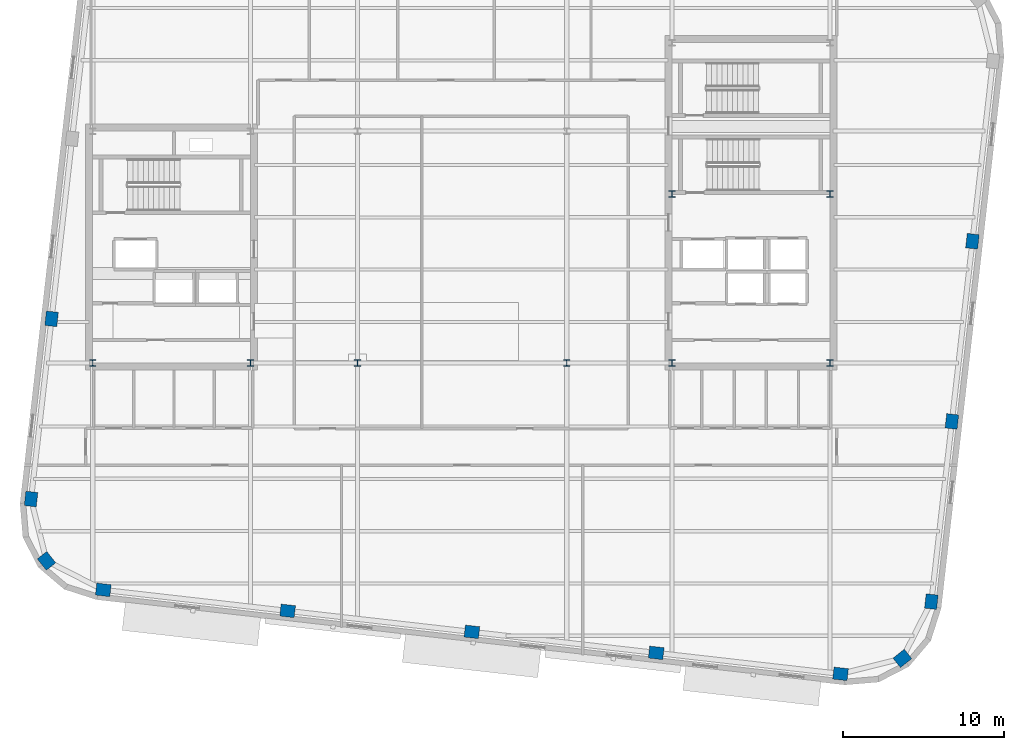
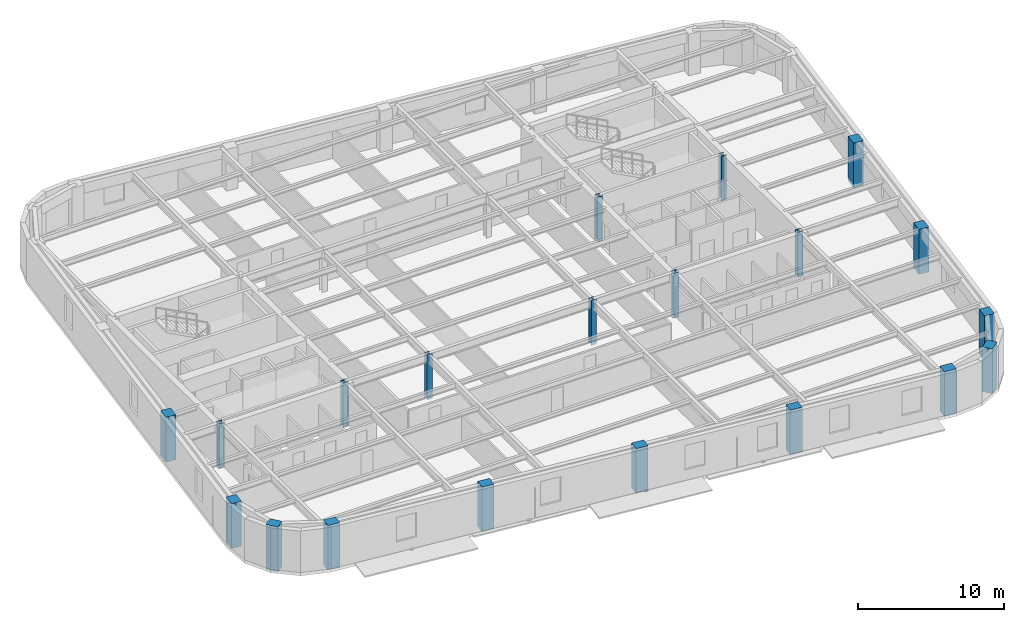
# One storey, part 1 of 13: 20 columns.
"""IFC4 building model written with IfcOpenShell, lengths in metres."""

from ifc_helpers import new_model, si_unit, direction, frame, origin, origin_2d, place, context, subcontext, project, spatial, rectangle, i_section, extrude, material, material_profile, profile_set, type_object, element, save


model = new_model("IFC4")

# Units and contexts
model_context = context("Model", 3, precision=1e-05, world=origin(), true_north=direction((0.0, 1.0)))
body_context = subcontext(model_context, "Body", "Model", "MODEL_VIEW")
ifc_project = project(units=[si_unit("LENGTHUNIT", "METRE"), si_unit("AREAUNIT", "SQUARE_METRE"), si_unit("VOLUMEUNIT", "CUBIC_METRE"), si_unit("PLANEANGLEUNIT", "RADIAN"), si_unit("MASSUNIT", "GRAM", prefix="KILO")], contexts=[model_context])

# Site, building, storey
site_placement = place(None, origin())
site = spatial("IfcSite", under=ifc_project, at=site_placement, CompositionType="ELEMENT")
building_placement = place(site_placement, origin())
building = spatial("IfcBuilding", under=site, at=building_placement, Name="Kolvaren Arena Tower", CompositionType="ELEMENT")
storey_placement = place(building_placement, frame((0.0, 0.0, 254.699951171875)))
storey = spatial("IfcBuildingStorey", under=building, at=storey_placement, Name="L62", CompositionType="ELEMENT", Elevation=254.699951171875)

# Columns
ifc_material_1 = material(Name="Precast concrete C55/67", Category="concrete")
ifc_material_profile_1 = material_profile(ifc_material_1, rectangle(XDim=0.89990234375, YDim=0.75, at=origin_2d()), Name="RC-900x750")
ifc_profile_set_1 = profile_set([ifc_material_profile_1], Name="Precast concrete C55/67")
column_type_1 = type_object("IfcColumnType", Name="EXCOL-Z4", PredefinedType="COLUMN", material=ifc_profile_set_1)
for number, where, z_axis, x_axis, name in (
    (1, (15.207763671875, 5.350830078125, -0.27001953125), (0.0, 0.0, 1.0), (0.993571855677, -0.113203213768, 0.0), "Exoskeleton Perimeter Column 01 (L62)"),
    (2, (26.65869140625, 4.046142578125, -0.27001953125), (0.0, 0.0, 1.0), (0.993571855677, -0.113203213768, 0.0), "Exoskeleton Perimeter Column 02 (L62)"),
    (3, (38.109619140625, 2.741455078125, -0.27001953125), (0.0, 0.0, 1.0), (0.993571855677, -0.113203213768, 0.0), "Exoskeleton Perimeter Column 03 (L62)"),
    (4, (49.560302734375, 1.436767578125, -0.27001953125), (0.0, 0.0, 1.0), (0.993571855677, -0.113203213768, 0.0), "Exoskeleton Perimeter Column 04 (L62)"),
    (5, (61.011474609375, 0.132080078125, -0.27001953125), (0.0, 0.0, 1.0), (0.993571855677, -0.113203213768, 0.0), "Exoskeleton Perimeter Column 05 (L62)"),
    (6, (64.853759765625, 1.094482421875, -0.27001953125), (0.0, 0.0, 1.0), (0.782608156852, 0.622514636638, 0.0), "Exoskeleton Perimeter Column 06 (L62)"),
    (7, (66.656005859375, 4.6220703125, -0.27001953125), (0.0, 0.0, 1.0), (0.113203213768, 0.993571855677, 0.0), "Exoskeleton Perimeter Column 07 (L62)"),
    (8, (67.931396484375, 15.816162109375, -0.27001953125), (0.0, 0.0, 1.0), (0.113203213768, 0.993571855677, 0.0), "Exoskeleton Perimeter Column 08 (L62)"),
    (9, (69.206787109375, 27.010498046875, -0.27001953125), (0.0, 0.0, 1.0), (0.113203213768, 0.993571855677, 0.0), "Exoskeleton Perimeter Column 09 (L62)"),
    (10, (11.9931640625, 22.189453125, -0.27001953125), (0.0, 0.0, 1.0), (0.113203213768, 0.993571855677, 0.0), "Exoskeleton Perimeter Column 20 (L62)"),
    (11, (10.7177734375, 10.995361328125, -0.27001953125), (0.0, 0.0, 1.0), (0.113203213768, 0.993571855677, 0.0), "Exoskeleton Perimeter Column 21 (L62)"),
    (12, (11.680419921875, 7.15283203125, -0.27001953125), (0.0, 0.0, 1.0), (-0.622514636638, 0.782608156852, 0.0), "Exoskeleton Perimeter Column 22 (L62)"),
):
    element("IfcColumn", number, at=place(storey_placement, frame(where, z_axis=z_axis, x_axis=x_axis)), inside=storey, type_object=column_type_1, Name=name, PredefinedType="COLUMN", context=body_context, shape_type="SweptSolid", body=[
        extrude(rectangle(XDim=0.89990234375, YDim=0.75, at=origin_2d()), origin(), (0.0, 0.0, 1.0), 3.75),
    ])
ifc_material_2 = material(Name="Steel ASTM A913 Grade 65", Category="steel")
ifc_material_profile_2 = material_profile(ifc_material_2, i_section(OverallWidth=0.39892578125, OverallDepth=0.39306640625, WebThickness=0.022705078125, FlangeThickness=0.03662109375, FilletRadius=0.02001953125, at=origin_2d()), Name="W360x287")
ifc_profile_set_2 = profile_set([ifc_material_profile_2], Name="Steel ASTM A913 Grade 65")
column_type_2 = type_object("IfcColumnType", Name="SCOL-Z4", PredefinedType="COLUMN", material=ifc_profile_set_2)
for number, where, z_axis, x_axis, name in (
    (13, (14.550048828125, 19.449951171875, -0.27001953125), (0.0, 0.0, 1.0), (1.0, 0.0, 0.0), "Core Boundary Column WC-SW (L62)"),
    (14, (24.35009765625, 19.449951171875, -0.27001953125), (0.0, 0.0, 1.0), (1.0, 0.0, 0.0), "Core Boundary Column WC-SE (L62)"),
    (15, (50.550048828125, 19.449951171875, -0.27001953125), (0.0, 0.0, 1.0), (1.0, 0.0, 0.0), "Core Boundary Column EC-SW (L62)"),
    (16, (60.35009765625, 19.449951171875, -0.27001953125), (0.0, 0.0, 1.0), (1.0, 0.0, 0.0), "Core Boundary Column EC-SE (L62)"),
    (17, (50.550048828125, 29.949951171875, -0.27001953125), (0.0, 0.0, 1.0), (1.0, 0.0, 0.0), "Core Boundary Column EC-MW (L62)"),
    (18, (60.35009765625, 29.949951171875, -0.27001953125), (0.0, 0.0, 1.0), (1.0, 0.0, 0.0), "Core Boundary Column EC-ME (L62)"),
    (19, (31.0, 19.449951171875, -0.27001953125), (0.0, 0.0, 1.0), (1.0, 0.0, 0.0), "Interior Gravity Column TC-SW (L62)"),
    (20, (44.0, 19.449951171875, -0.27001953125), (0.0, 0.0, 1.0), (1.0, 0.0, 0.0), "Interior Gravity Column TC-SE (L62)"),
):
    element("IfcColumn", number, at=place(storey_placement, frame(where, z_axis=z_axis, x_axis=x_axis)), inside=storey, type_object=column_type_2, Name=name, PredefinedType="COLUMN", context=body_context, shape_type="SweptSolid", body=[
        extrude(i_section(OverallWidth=0.39892578125, OverallDepth=0.39306640625, WebThickness=0.022705078125, FlangeThickness=0.03662109375, FilletRadius=0.02001953125, at=origin_2d()), origin(), (0.0, 0.0, 1.0), 3.75),
    ])

save(model, "model.ifc")
